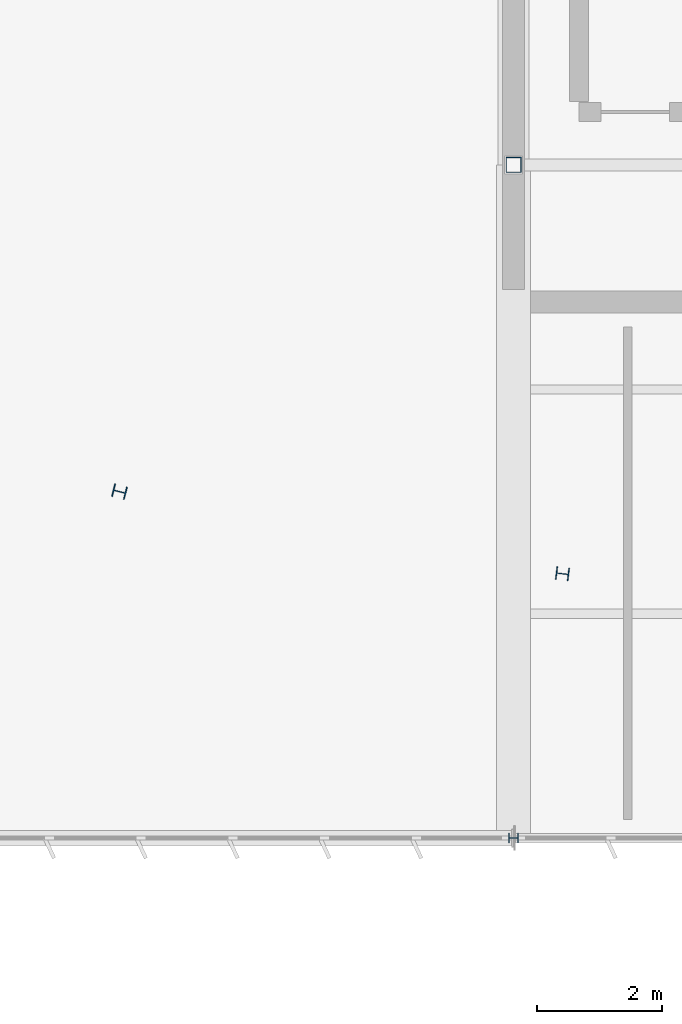
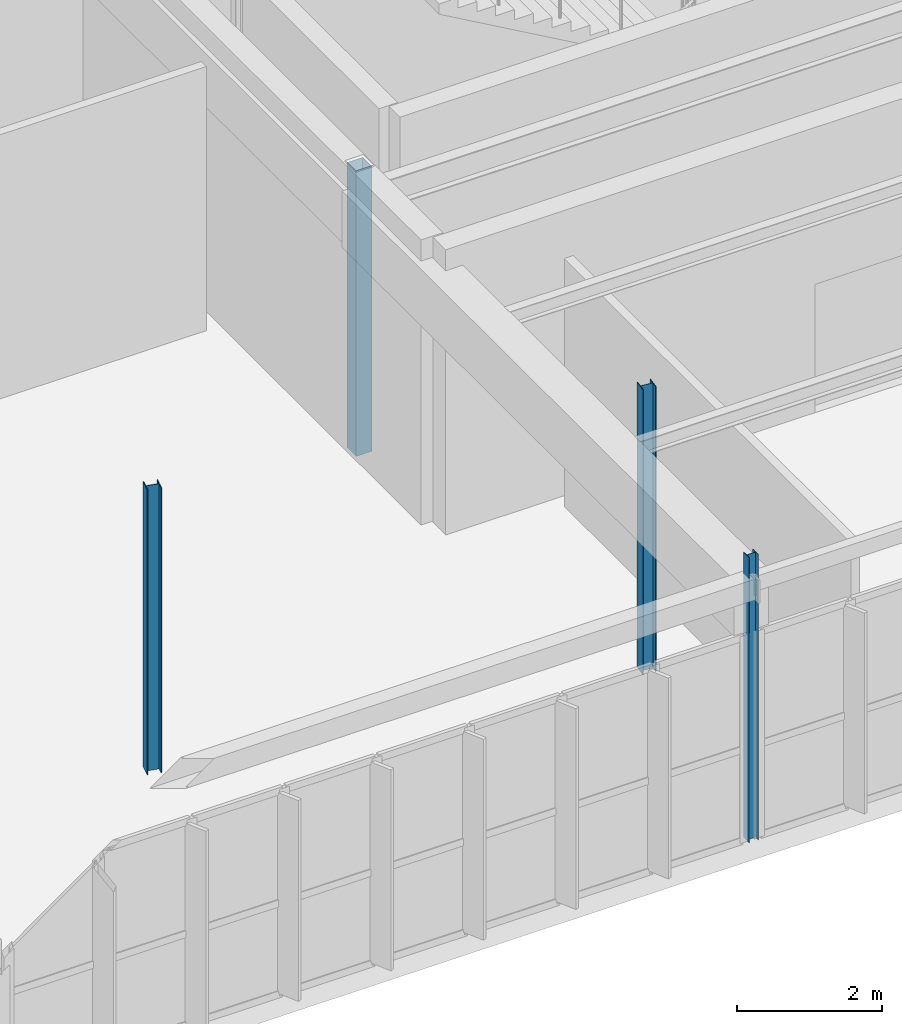
# One storey, part 10 of 199: 4 columns.
"""IFC4 building model written with IfcOpenShell, lengths in metres."""

from ifc_helpers import new_model, si_unit, direction, frame, origin, origin_2d, place, context, subcontext, project, spatial, hollow_rectangle, i_section, extrude, material, material_profile, profile_set, type_object, element, save


model = new_model("IFC4")

# Units and contexts
model_context = context("Model", 3, precision=1e-05, world=origin(), true_north=direction((0.0, 1.0)))
body_context = subcontext(model_context, "Body", "Model", "MODEL_VIEW")
ifc_project = project(units=[si_unit("LENGTHUNIT", "METRE"), si_unit("AREAUNIT", "SQUARE_METRE"), si_unit("VOLUMEUNIT", "CUBIC_METRE"), si_unit("PLANEANGLEUNIT", "RADIAN"), si_unit("MASSUNIT", "GRAM", prefix="KILO")], contexts=[model_context])

# Site, building, storey
site_placement = place(None, origin())
site = spatial("IfcSite", under=ifc_project, at=site_placement, CompositionType="ELEMENT")
building_placement = place(site_placement, origin())
building = spatial("IfcBuilding", under=site, at=building_placement, Name="Tarnwether General Hospital", CompositionType="ELEMENT")
storey_placement = place(building_placement, origin())
storey = spatial("IfcBuildingStorey", under=building, at=storey_placement, Name="L00", CompositionType="ELEMENT", Elevation=0.0)

# Columns
ifc_material_1 = material(Name="Steel Grade C350L0 (350 MPa)", Category="steel")
ifc_material_profile_1 = material_profile(ifc_material_1, hollow_rectangle(XDim=0.25, YDim=0.25, WallThickness=0.012451171875, at=origin_2d()), Name="SHS250x250x12.5")
ifc_profile_set_1 = profile_set([ifc_material_profile_1], Name="Steel Grade C350L0 (350 MPa)")
column_type_1 = type_object("IfcColumnType", Name="COL-14", PredefinedType="COLUMN", material=ifc_profile_set_1)
column_1_placement = place(storey_placement, frame((84.0, 10.800048828125, 0.0), z_axis=(0.0, 0.0, 1.0), x_axis=(0.0, 1.0, 0.0)))
element("IfcColumn", 1, at=column_1_placement, inside=storey, type_object=column_type_1, Name="Column COLG-L00-8400_1080", PredefinedType="COLUMN", context=body_context, shape_type="SweptSolid", body=[
    extrude(hollow_rectangle(XDim=0.25, YDim=0.25, WallThickness=0.012451171875, at=origin_2d()), origin(), (0.0, 0.0, 1.0), 4.800048828125),
])
ifc_material_2 = material(Name="Steel Grade 350 (350 MPa)", Category="steel")
ifc_material_profile_2 = material_profile(ifc_material_2, i_section(OverallWidth=0.205078125, OverallDepth=0.2099609375, WebThickness=0.00927734375, FlangeThickness=0.01416015625, at=origin_2d()), Name="200UC59.5")
ifc_profile_set_2 = profile_set([ifc_material_profile_2], Name="Steel Grade 350 (350 MPa)")
column_type_2 = type_object("IfcColumnType", Name="COL-25", PredefinedType="COLUMN", material=ifc_profile_set_2)
column_2_placement = place(storey_placement, frame((77.677978515625, 5.55810546875, 0.0), z_axis=(0.0, 0.0, 1.0), x_axis=(0.2419218956, 0.970295726276, 0.0)))
element("IfcColumn", 2, at=column_2_placement, inside=storey, type_object=column_type_2, Name="Column COLG-L00-7768_556", PredefinedType="COLUMN", context=body_context, shape_type="SweptSolid", body=[
    extrude(i_section(OverallWidth=0.205078125, OverallDepth=0.2099609375, WebThickness=0.00927734375, FlangeThickness=0.01416015625, at=origin_2d()), origin(), (0.0, 0.0, 1.0), 4.800048828125),
])
ifc_material_3 = material(Name="Steel Grade 350 (350 MPa)", Category="steel")
ifc_material_profile_3 = material_profile(ifc_material_3, i_section(OverallWidth=0.202880859375, OverallDepth=0.202880859375, WebThickness=0.00732421875, FlangeThickness=0.010986328125, at=origin_2d()), Name="200UC46.2")
ifc_profile_set_3 = profile_set([ifc_material_profile_3], Name="Steel Grade 350 (350 MPa)")
column_type_3 = type_object("IfcColumnType", Name="COL-27", PredefinedType="COLUMN", material=ifc_profile_set_3)
column_3_placement = place(storey_placement, frame((84.784912109375, 4.240966796875, 0.0), z_axis=(0.0, 0.0, 1.0), x_axis=(0.121869343405, 0.992546151641, 0.0)))
element("IfcColumn", 3, at=column_3_placement, inside=storey, type_object=column_type_3, Name="Column COLG-L00-8478_424", PredefinedType="COLUMN", context=body_context, shape_type="SweptSolid", body=[
    extrude(i_section(OverallWidth=0.202880859375, OverallDepth=0.202880859375, WebThickness=0.00732421875, FlangeThickness=0.010986328125, at=origin_2d()), origin(), (0.0, 0.0, 1.0), 4.800048828125),
])
ifc_material_4 = material(Name="Steel Grade 350 (350 MPa)", Category="steel")
ifc_material_profile_4 = material_profile(ifc_material_4, i_section(OverallWidth=0.152099609375, OverallDepth=0.152099609375, WebThickness=0.006103515625, FlangeThickness=0.0068359375, at=origin_2d()), Name="150UC23.4")
ifc_profile_set_4 = profile_set([ifc_material_profile_4], Name="Steel Grade 350 (350 MPa)")
column_type_4 = type_object("IfcColumnType", Name="COL-32", PredefinedType="COLUMN", material=ifc_profile_set_4)
column_4_placement = place(storey_placement, frame((84.0, 0.0, 0.0), z_axis=(0.0, 0.0, 1.0), x_axis=(0.0, 1.0, 0.0)))
element("IfcColumn", 4, at=column_4_placement, inside=storey, type_object=column_type_4, Name="Column COLG-L00-8400_0", PredefinedType="COLUMN", context=body_context, shape_type="SweptSolid", body=[
    extrude(i_section(OverallWidth=0.152099609375, OverallDepth=0.152099609375, WebThickness=0.006103515625, FlangeThickness=0.0068359375, at=origin_2d()), origin(), (0.0, 0.0, 1.0), 4.800048828125),
])

save(model, "model.ifc")
